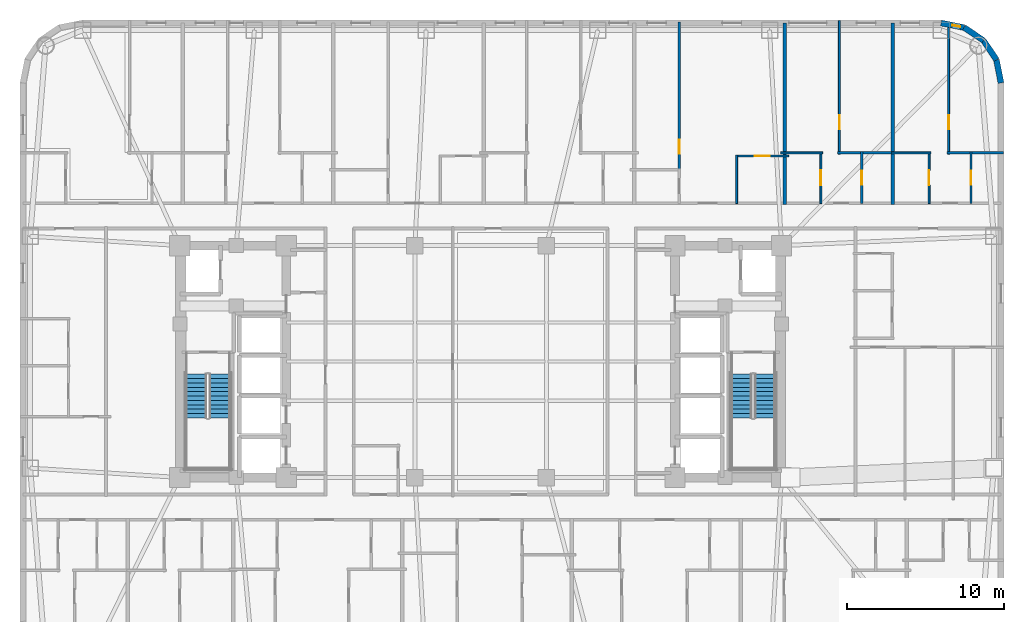
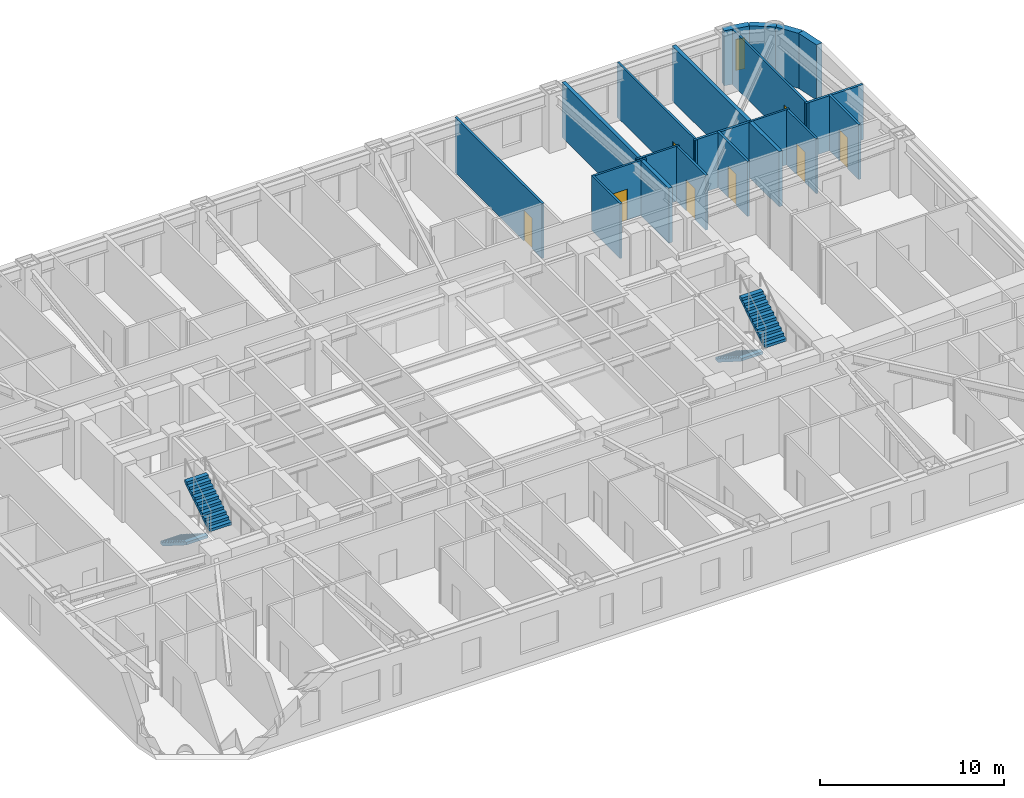
# One storey, part 9 of 12: 19 walls, 8 doors, 4 stair flights, 1 window, 9 openings, 2 elements without a shape of their own.
"""IFC4 building model written with IfcOpenShell, lengths in metres."""

from ifc_helpers import new_model, si_unit, direction, frame, frame_2d, origin, place, context, subcontext, project, spatial, polyline, rectangle, outline, extrude, material, layer, layer_set, type_object, element, fill, aggregate, save


model = new_model("IFC4")

# Units and contexts
model_context = context("Model", 3, precision=1e-05, world=origin(), true_north=direction((0.0, 1.0)))
body_context = subcontext(model_context, "Body", "Model", "MODEL_VIEW")
ifc_project = project(units=[si_unit("LENGTHUNIT", "METRE"), si_unit("AREAUNIT", "SQUARE_METRE"), si_unit("VOLUMEUNIT", "CUBIC_METRE"), si_unit("PLANEANGLEUNIT", "RADIAN"), si_unit("MASSUNIT", "GRAM", prefix="KILO")], contexts=[model_context])

# Site, building, storey
site_placement = place(None, origin())
site = spatial("IfcSite", under=ifc_project, at=site_placement, CompositionType="ELEMENT")
building_placement = place(site_placement, origin())
building = spatial("IfcBuilding", under=site, at=building_placement, Name="Voryun Gate Residences", CompositionType="ELEMENT")
storey_placement = place(building_placement, frame((0.0, 0.0, 101.39990234375)))
storey = spatial("IfcBuildingStorey", under=building, at=storey_placement, Name="L24", CompositionType="ELEMENT", Elevation=101.39990234375)

# Wall, opening, window
ifc_material_1 = material(Name="Granite masonry", Category="masonry")
ifc_layer_1 = layer(ifc_material_1, 0.3798828125, Name="W_EXT_GRANITE_380")
ifc_layer_set_1 = layer_set([ifc_layer_1], Name="Granite masonry")
wall_type_1 = type_object("IfcWallType", Name="W_EXT_GRANITE_380", PredefinedType="ELEMENTEDWALL", material=ifc_layer_set_1)
wall_1_placement = place(storey_placement, frame((29.38134765625, 21.610107421875, 0.0), z_axis=(0.0, 0.0, 1.0), x_axis=(0.980755066645, -0.195242155415, 0.0)))
wall_1 = element("IfcWall", 1, at=wall_1_placement, inside=storey, type_object=wall_type_1, Name="Exterior wall WEXT-L24-12", PredefinedType="ELEMENTEDWALL", context=body_context, shape_type="SweptSolid", body=[
    extrude(rectangle(XDim=1.50439453125, YDim=0.3798828125, at=frame_2d((0.752197265625, 0.0))), origin(), (0.0, 0.0, 1.0), 3.650146484375),
])
opening_1_placement = place(wall_1_placement, frame((0.732177734375, 0.0, 0.75)))
opening_1 = element("IfcOpeningElement", 2, at=opening_1_placement, cuts=wall_1, Name="Opening WN10", PredefinedType="OPENING", context=body_context, shape_type="SweptSolid", body=[
    extrude(rectangle(XDim=0.52001953125, YDim=2.050048828125, at=frame_2d((0.260009765625, 1.02490234375))), frame((0.0, 0.199951171875, 0.0), z_axis=(0.0, -1.0, 0.0), x_axis=(1.0, 0.0, 0.0)), (0.0, 0.0, 1.0), 0.39990234375),
])
ifc_material_2 = material(Name="Laminated low-E glass", Category="glass")
window_type = type_object("IfcWindowType", Name="WN_PAGODA_LANCET_520", PartitioningType="SINGLE_PANEL", PredefinedType="WINDOW", material=ifc_material_2)
window_placement = place(opening_1_placement, origin())
window = element("IfcWindow", 3, at=window_placement, inside=storey, type_object=window_type, Name="Window WN-L24-DWFIX-15", OverallHeight=2.050048828125, OverallWidth=0.52001953125, PartitioningType="SINGLE_PANEL", PredefinedType="WINDOW", context=body_context, shape_type="SweptSolid", body=[
    extrude(rectangle(XDim=0.52001953125, YDim=2.050048828125, at=frame_2d((0.260009765625, 1.02490234375))), frame((0.0, 0.030029296875, 0.0), z_axis=(0.0, -1.0, 0.0), x_axis=(1.0, 0.0, 0.0)), (0.0, 0.0, 1.0), 0.06005859375),
])
fill(opening_1, window)

# Walls
wall_2_placement = place(storey_placement, frame((30.856689453125, 21.31640625, 0.0), z_axis=(0.0, 0.0, 1.0), x_axis=(0.831468045563, -0.555572577804, 0.0)))
element("IfcWall", 4, at=wall_2_placement, inside=storey, type_object=wall_type_1, Name="Exterior wall WEXT-L24-13", PredefinedType="ELEMENTEDWALL", context=body_context, shape_type="SweptSolid", body=[
    extrude(rectangle(XDim=1.48486328125, YDim=0.3798828125, at=frame_2d((0.742431640625, 0.0))), origin(), (0.0, 0.0, 1.0), 3.650146484375),
])
wall_3_placement = place(storey_placement, frame((32.09130859375, 20.491455078125, 0.0), z_axis=(0.0, 0.0, 1.0), x_axis=(0.555610286119, -0.831442848281, 0.0)))
element("IfcWall", 5, at=wall_3_placement, inside=storey, type_object=wall_type_1, Name="Exterior wall WEXT-L24-14", PredefinedType="ELEMENTEDWALL", context=body_context, shape_type="SweptSolid", body=[
    extrude(rectangle(XDim=1.485107421875, YDim=0.3798828125, at=frame_2d((0.74267578125, 0.0))), origin(), (0.0, 0.0, 1.0), 3.650146484375),
])
wall_4_placement = place(storey_placement, frame((32.91650390625, 19.256591796875, 0.0), z_axis=(0.0, 0.0, 1.0), x_axis=(0.195086038585, -0.980786132421, 0.0)))
element("IfcWall", 6, at=wall_4_placement, inside=storey, type_object=wall_type_1, Name="Exterior wall WEXT-L24-15", PredefinedType="ELEMENTEDWALL", context=body_context, shape_type="SweptSolid", body=[
    extrude(rectangle(XDim=1.504150390625, YDim=0.3798828125, at=frame_2d((0.751953125, 0.0))), origin(), (0.0, 0.0, 1.0), 3.650146484375),
])
ifc_material_3 = material(Name="Concrete C40/50", Category="concrete")
ifc_layer_2 = layer(ifc_material_3, 0.219970703125, Name="W_PARTY_ACOUSTIC_220")
ifc_layer_set_2 = layer_set([ifc_layer_2], Name="Concrete C40/50")
wall_type_2 = type_object("IfcWallType", Name="W_PARTY_ACOUSTIC_220", PredefinedType="PARTITIONING", material=ifc_layer_set_2)
for number, where, z_axis, x_axis, name in (
    (7, (19.39990234375, 10.02001953125, 0.0), (0.0, 0.0, 1.0), (0.0, 1.0, 0.0), "Partition wall WP-L24-NPTY-5"),
    (8, (26.30908203125, 10.02001953125, 0.0), (0.0, 0.0, 1.0), (0.0, 1.0, 0.0), "Partition wall WP-L24-NPTY-6"),
):
    element("IfcWall", number, at=place(storey_placement, frame(where, z_axis=z_axis, x_axis=x_axis)), inside=storey, type_object=wall_type_2, Name=name, PredefinedType="PARTITIONING", context=body_context, shape_type="SweptSolid", body=[
        extrude(rectangle(XDim=11.590087890625, YDim=0.219970703125, at=frame_2d((5.794921875, 0.0))), origin(), (0.0, 0.0, 1.0), 3.650146484375),
    ])

# Wall, opening, door
ifc_material_4 = material(Name="Gypsum acoustic partition")
ifc_layer_3 = layer(ifc_material_4, 0.125, Name="W_UNIT_PART_125")
ifc_layer_set_3 = layer_set([ifc_layer_3], Name="Gypsum acoustic partition")
wall_type_3 = type_object("IfcWallType", Name="W_UNIT_PART_125", PredefinedType="PARTITIONING", material=ifc_layer_set_3)
wall_5_placement = place(storey_placement, frame((16.277099609375, 13.1201171875, 0.0), z_axis=(0.0, 0.0, 1.0), x_axis=(1.0, 0.0, 0.0)))
wall_5 = element("IfcWall", 9, at=wall_5_placement, inside=storey, type_object=wall_type_3, Name="Partition wall WP-L24-N5-KHY", PredefinedType="PARTITIONING", context=body_context, shape_type="SweptSolid", body=[
    extrude(rectangle(XDim=3.3828125, YDim=0.125, at=frame_2d((1.69140625, 0.0))), origin(), (0.0, 0.0, 1.0), 3.650146484375),
])
opening_2_placement = place(wall_5_placement, frame((1.216552734375, 0.0, 0.0)))
opening_2 = element("IfcOpeningElement", 10, at=opening_2_placement, cuts=wall_5, Name="Opening D-INT-1", PredefinedType="OPENING", context=body_context, shape_type="SweptSolid", body=[
    extrude(rectangle(XDim=0.949951171875, YDim=2.050048828125, at=frame_2d((0.47509765625, 1.02490234375))), frame((0.0, 0.072509765625, 0.0), z_axis=(0.0, -1.0, 0.0), x_axis=(1.0, 0.0, 0.0)), (0.0, 0.0, 1.0), 0.14501953125),
])
ifc_material_5 = material(Name="Architectural oak veneer")
door_type_1 = type_object("IfcDoorType", Name="DR_INT_ROOM_950", OperationType="NOTDEFINED", PredefinedType="DOOR", material=ifc_material_5)
door_1_placement = place(opening_2_placement, origin())
door_1 = element("IfcDoor", 11, at=door_1_placement, inside=storey, type_object=door_type_1, Name="Door DR-L24-N5-DK", OperationType="SINGLE_SWING_LEFT", OverallHeight=2.050048828125, OverallWidth=0.949951171875, PredefinedType="DOOR", context=body_context, shape_type="SweptSolid", body=[
    extrude(rectangle(XDim=0.949951171875, YDim=2.050048828125, at=frame_2d((0.47509765625, 1.02490234375))), frame((0.0, 0.02490234375, 0.0), z_axis=(0.0, -1.0, 0.0), x_axis=(1.0, 0.0, 0.0)), (0.0, 0.0, 1.0), 0.050048828125),
])
fill(opening_2, door_1)

# Wall
wall_6_placement = place(storey_placement, frame((16.3369140625, 10.080078125, 0.0), z_axis=(0.0, 0.0, 1.0), x_axis=(0.0, 1.0, 0.0)))
element("IfcWall", 12, at=wall_6_placement, inside=storey, type_object=wall_type_3, Name="Partition wall WP-L24-N5-KVX", PredefinedType="PARTITIONING", context=body_context, shape_type="SweptSolid", body=[
    extrude(rectangle(XDim=3.099853515625, YDim=0.125, at=frame_2d((1.5498046875, 0.0))), origin(), (0.0, 0.0, 1.0), 3.650146484375),
])

# Wall, opening, door
wall_7_placement = place(storey_placement, frame((22.89892578125, 13.239990234375, 0.0), z_axis=(0.0, 0.0, 1.0), x_axis=(0.0, 1.0, 0.0)))
wall_7 = element("IfcWall", 13, at=wall_7_placement, inside=storey, type_object=wall_type_3, Name="Partition wall WP-L24-N6-OVR", PredefinedType="PARTITIONING", context=body_context, shape_type="SweptSolid", body=[
    extrude(rectangle(XDim=8.52001953125, YDim=0.125, at=frame_2d((4.260009765625, 0.0))), origin(), (0.0, 0.0, 1.0), 3.650146484375),
])
opening_3_placement = place(wall_7_placement, frame((1.5947265625, 0.0, 0.0)))
opening_3 = element("IfcOpeningElement", 14, at=opening_3_placement, cuts=wall_7, Name="Opening D-INT-2", PredefinedType="OPENING", context=body_context, shape_type="SweptSolid", body=[
    extrude(rectangle(XDim=0.89990234375, YDim=2.050048828125, at=frame_2d((0.449951171875, 1.02490234375))), frame((0.0, 0.072509765625, 0.0), z_axis=(0.0, -1.0, 0.0), x_axis=(1.0, 0.0, 0.0)), (0.0, 0.0, 1.0), 0.14501953125),
])
ifc_material_6 = material(Name="Architectural oak veneer")
door_type_2 = type_object("IfcDoorType", Name="DR_INT_BATH_900", OperationType="NOTDEFINED", PredefinedType="DOOR", material=ifc_material_6)
door_2_placement = place(opening_3_placement, origin())
door_2 = element("IfcDoor", 15, at=door_2_placement, inside=storey, type_object=door_type_2, Name="Door DR-L24-N6-DMB", OperationType="SINGLE_SWING_RIGHT", OverallHeight=2.050048828125, OverallWidth=0.89990234375, PredefinedType="DOOR", context=body_context, shape_type="SweptSolid", body=[
    extrude(rectangle(XDim=0.89990234375, YDim=2.050048828125, at=frame_2d((0.449951171875, 1.02490234375))), frame((0.0, 0.02490234375, 0.0), z_axis=(0.0, -1.0, 0.0), x_axis=(1.0, 0.0, 0.0)), (0.0, 0.0, 1.0), 0.050048828125),
])
fill(opening_3, door_2)

wall_8_placement = place(storey_placement, frame((21.7099609375, 10.080078125, 0.0), z_axis=(0.0, 0.0, 1.0), x_axis=(0.0, 1.0, 0.0)))
wall_8 = element("IfcWall", 16, at=wall_8_placement, inside=storey, type_object=wall_type_3, Name="Partition wall WP-L24-N6-IVK", PredefinedType="PARTITIONING", context=body_context, shape_type="SweptSolid", body=[
    extrude(rectangle(XDim=3.31982421875, YDim=0.125, at=frame_2d((1.659912109375, 0.0))), origin(), (0.0, 0.0, 1.0), 3.650146484375),
])
opening_4_placement = place(wall_8_placement, frame((1.18505859375, 0.0, 0.0)))
opening_4 = element("IfcOpeningElement", 17, at=opening_4_placement, cuts=wall_8, Name="Opening D-INT-1", PredefinedType="OPENING", context=body_context, shape_type="SweptSolid", body=[
    extrude(rectangle(XDim=0.949951171875, YDim=2.050048828125, at=frame_2d((0.47509765625, 1.02490234375))), frame((0.0, 0.072509765625, 0.0), z_axis=(0.0, -1.0, 0.0), x_axis=(1.0, 0.0, 0.0)), (0.0, 0.0, 1.0), 0.14501953125),
])
door_3_placement = place(opening_4_placement, origin())
door_3 = element("IfcDoor", 18, at=door_3_placement, inside=storey, type_object=door_type_1, Name="Door DR-L24-N6-DK", OperationType="SINGLE_SWING_LEFT", OverallHeight=2.050048828125, OverallWidth=0.949951171875, PredefinedType="DOOR", context=body_context, shape_type="SweptSolid", body=[
    extrude(rectangle(XDim=0.949951171875, YDim=2.050048828125, at=frame_2d((0.47509765625, 1.02490234375))), frame((0.0, 0.02490234375, 0.0), z_axis=(0.0, -1.0, 0.0), x_axis=(1.0, 0.0, 0.0)), (0.0, 0.0, 1.0), 0.050048828125),
])
fill(opening_4, door_3)

# Wall
wall_9_placement = place(storey_placement, frame((19.139892578125, 13.320068359375, 0.0), z_axis=(0.0, 0.0, 1.0), x_axis=(1.0, 0.0, 0.0)))
element("IfcWall", 19, at=wall_9_placement, inside=storey, type_object=wall_type_3, Name="Partition wall WP-L24-N6-HZK", PredefinedType="PARTITIONING", context=body_context, shape_type="SweptSolid", body=[
    extrude(rectangle(XDim=2.690185546875, YDim=0.125, at=frame_2d((1.34521484375, 0.0))), origin(), (0.0, 0.0, 1.0), 3.650146484375),
])

# Wall, opening, door
wall_10_placement = place(storey_placement, frame((29.867919921875, 13.239990234375, 0.0), z_axis=(0.0, 0.0, 1.0), x_axis=(0.0, 1.0, 0.0)))
wall_10 = element("IfcWall", 20, at=wall_10_placement, inside=storey, type_object=wall_type_3, Name="Partition wall WP-L24-N7-OVR", PredefinedType="PARTITIONING", context=body_context, shape_type="SweptSolid", body=[
    extrude(rectangle(XDim=8.426025390625, YDim=0.125, at=frame_2d((4.212890625, 0.0))), origin(), (0.0, 0.0, 1.0), 3.650146484375),
])
opening_5_placement = place(wall_10_placement, frame((1.572265625, 0.0, 0.0)))
opening_5 = element("IfcOpeningElement", 21, at=opening_5_placement, cuts=wall_10, Name="Opening D-INT-2", PredefinedType="OPENING", context=body_context, shape_type="SweptSolid", body=[
    extrude(rectangle(XDim=0.89990234375, YDim=2.050048828125, at=frame_2d((0.449951171875, 1.02490234375))), frame((0.0, 0.072509765625, 0.0), z_axis=(0.0, -1.0, 0.0), x_axis=(1.0, 0.0, 0.0)), (0.0, 0.0, 1.0), 0.14501953125),
])
door_4_placement = place(opening_5_placement, origin())
door_4 = element("IfcDoor", 22, at=door_4_placement, inside=storey, type_object=door_type_2, Name="Door DR-L24-N7-DMB", OperationType="SINGLE_SWING_RIGHT", OverallHeight=2.050048828125, OverallWidth=0.89990234375, PredefinedType="DOOR", context=body_context, shape_type="SweptSolid", body=[
    extrude(rectangle(XDim=0.89990234375, YDim=2.050048828125, at=frame_2d((0.449951171875, 1.02490234375))), frame((0.0, 0.02490234375, 0.0), z_axis=(0.0, -1.0, 0.0), x_axis=(1.0, 0.0, 0.0)), (0.0, 0.0, 1.0), 0.050048828125),
])
fill(opening_5, door_4)

wall_11_placement = place(storey_placement, frame((28.618896484375, 10.080078125, 0.0), z_axis=(0.0, 0.0, 1.0), x_axis=(0.0, 1.0, 0.0)))
wall_11 = element("IfcWall", 23, at=wall_11_placement, inside=storey, type_object=wall_type_3, Name="Partition wall WP-L24-N7-IVK", PredefinedType="PARTITIONING", context=body_context, shape_type="SweptSolid", body=[
    extrude(rectangle(XDim=3.31982421875, YDim=0.125, at=frame_2d((1.659912109375, 0.0))), origin(), (0.0, 0.0, 1.0), 3.650146484375),
])
opening_6_placement = place(wall_11_placement, frame((1.18505859375, 0.0, 0.0)))
opening_6 = element("IfcOpeningElement", 24, at=opening_6_placement, cuts=wall_11, Name="Opening D-INT-1", PredefinedType="OPENING", context=body_context, shape_type="SweptSolid", body=[
    extrude(rectangle(XDim=0.949951171875, YDim=2.050048828125, at=frame_2d((0.47509765625, 1.02490234375))), frame((0.0, 0.072509765625, 0.0), z_axis=(0.0, -1.0, 0.0), x_axis=(1.0, 0.0, 0.0)), (0.0, 0.0, 1.0), 0.14501953125),
])
door_5_placement = place(opening_6_placement, origin())
door_5 = element("IfcDoor", 25, at=door_5_placement, inside=storey, type_object=door_type_1, Name="Door DR-L24-N7-DK", OperationType="SINGLE_SWING_LEFT", OverallHeight=2.050048828125, OverallWidth=0.949951171875, PredefinedType="DOOR", context=body_context, shape_type="SweptSolid", body=[
    extrude(rectangle(XDim=0.949951171875, YDim=2.050048828125, at=frame_2d((0.47509765625, 1.02490234375))), frame((0.0, 0.02490234375, 0.0), z_axis=(0.0, -1.0, 0.0), x_axis=(1.0, 0.0, 0.0)), (0.0, 0.0, 1.0), 0.050048828125),
])
fill(opening_6, door_5)

# Wall
wall_12_placement = place(storey_placement, frame((26.23388671875, 13.320068359375, 0.0), z_axis=(0.0, 0.0, 1.0), x_axis=(1.0, 0.0, 0.0)))
element("IfcWall", 26, at=wall_12_placement, inside=storey, type_object=wall_type_3, Name="Partition wall WP-L24-N7-HZK", PredefinedType="PARTITIONING", context=body_context, shape_type="SweptSolid", body=[
    extrude(rectangle(XDim=2.505126953125, YDim=0.125, at=frame_2d((1.25244140625, 0.0))), origin(), (0.0, 0.0, 1.0), 3.650146484375),
])

# Wall, opening, door
ifc_material_7 = material(Name="Gypsum moisture-resistant partition")
ifc_layer_4 = layer(ifc_material_7, 0.14990234375, Name="W_WET_PLUMB_150")
ifc_layer_set_4 = layer_set([ifc_layer_4], Name="Gypsum moisture-resistant partition")
wall_type_4 = type_object("IfcWallType", Name="W_WET_PLUMB_150", PredefinedType="PLUMBINGWALL", material=ifc_layer_set_4)
wall_13_placement = place(storey_placement, frame((12.666015625, 12.199951171875, 0.0), z_axis=(0.0, 0.0, 1.0), x_axis=(0.0, 1.0, 0.0)))
wall_13 = element("IfcWall", 27, at=wall_13_placement, inside=storey, type_object=wall_type_4, Name="Partition wall WP-L24-N5-LVX2", PredefinedType="PLUMBINGWALL", context=body_context, shape_type="SweptSolid", body=[
    extrude(rectangle(XDim=9.457763671875, YDim=0.14990234375, at=frame_2d((4.72900390625, 0.0))), origin(), (0.0, 0.0, 1.0), 3.650146484375),
])
opening_7_placement = place(wall_13_placement, frame((1.063232421875, 0.0, 0.0)))
opening_7 = element("IfcOpeningElement", 28, at=opening_7_placement, cuts=wall_13, Name="Opening D-INT-2", PredefinedType="OPENING", context=body_context, shape_type="SweptSolid", body=[
    extrude(rectangle(XDim=0.89990234375, YDim=2.050048828125, at=frame_2d((0.449951171875, 1.02490234375))), frame((0.0, 0.0849609375, 0.0), z_axis=(0.0, -1.0, 0.0), x_axis=(1.0, 0.0, 0.0)), (0.0, 0.0, 1.0), 0.169921875),
])
door_6_placement = place(opening_7_placement, origin())
door_6 = element("IfcDoor", 29, at=door_6_placement, inside=storey, type_object=door_type_2, Name="Door DR-L24-N5-DMB", OperationType="SINGLE_SWING_RIGHT", OverallHeight=2.050048828125, OverallWidth=0.89990234375, PredefinedType="DOOR", context=body_context, shape_type="SweptSolid", body=[
    extrude(rectangle(XDim=0.89990234375, YDim=2.050048828125, at=frame_2d((0.449951171875, 1.02490234375))), frame((0.0, 0.02490234375, 0.0), z_axis=(0.0, -1.0, 0.0), x_axis=(1.0, 0.0, 0.0)), (0.0, 0.0, 1.0), 0.050048828125),
])
fill(opening_7, door_6)

# Wall
wall_14_placement = place(storey_placement, frame((22.779052734375, 13.320068359375, 0.0), z_axis=(0.0, 0.0, 1.0), x_axis=(1.0, 0.0, 0.0)))
element("IfcWall", 30, at=wall_14_placement, inside=storey, type_object=wall_type_4, Name="Partition wall WP-L24-N6-HZB", PredefinedType="PLUMBINGWALL", context=body_context, shape_type="SweptSolid", body=[
    extrude(rectangle(XDim=3.60498046875, YDim=0.14990234375, at=frame_2d((1.802490234375, 0.0))), origin(), (0.0, 0.0, 1.0), 3.650146484375),
])

# Wall, opening, door
wall_15_placement = place(storey_placement, frame((24.3291015625, 10.080078125, 0.0), z_axis=(0.0, 0.0, 1.0), x_axis=(0.0, 1.0, 0.0)))
wall_15 = element("IfcWall", 31, at=wall_15_placement, inside=storey, type_object=wall_type_4, Name="Partition wall WP-L24-N6-IVB", PredefinedType="PLUMBINGWALL", context=body_context, shape_type="SweptSolid", body=[
    extrude(rectangle(XDim=3.31982421875, YDim=0.14990234375, at=frame_2d((1.659912109375, 0.0))), origin(), (0.0, 0.0, 1.0), 3.650146484375),
])
opening_8_placement = place(wall_15_placement, frame((1.2099609375, 0.0, 0.0)))
opening_8 = element("IfcOpeningElement", 32, at=opening_8_placement, cuts=wall_15, Name="Opening D-INT-2", PredefinedType="OPENING", context=body_context, shape_type="SweptSolid", body=[
    extrude(rectangle(XDim=0.89990234375, YDim=2.050048828125, at=frame_2d((0.449951171875, 1.02490234375))), frame((0.0, 0.0849609375, 0.0), z_axis=(0.0, -1.0, 0.0), x_axis=(1.0, 0.0, 0.0)), (0.0, 0.0, 1.0), 0.169921875),
])
door_7_placement = place(opening_8_placement, origin())
door_7 = element("IfcDoor", 33, at=door_7_placement, inside=storey, type_object=door_type_2, Name="Door DR-L24-N6-DB", OperationType="SINGLE_SWING_RIGHT", OverallHeight=2.050048828125, OverallWidth=0.89990234375, PredefinedType="DOOR", context=body_context, shape_type="SweptSolid", body=[
    extrude(rectangle(XDim=0.89990234375, YDim=2.050048828125, at=frame_2d((0.449951171875, 1.02490234375))), frame((0.0, 0.02490234375, 0.0), z_axis=(0.0, -1.0, 0.0), x_axis=(1.0, 0.0, 0.0)), (0.0, 0.0, 1.0), 0.050048828125),
])
fill(opening_8, door_7)

# Wall
wall_16_placement = place(storey_placement, frame((29.748046875, 13.320068359375, 0.0), z_axis=(0.0, 0.0, 1.0), x_axis=(1.0, 0.0, 0.0)))
element("IfcWall", 34, at=wall_16_placement, inside=storey, type_object=wall_type_4, Name="Partition wall WP-L24-N7-HZB", PredefinedType="PLUMBINGWALL", context=body_context, shape_type="SweptSolid", body=[
    extrude(rectangle(XDim=3.612060546875, YDim=0.14990234375, at=frame_2d((1.80615234375, 0.0))), origin(), (0.0, 0.0, 1.0), 3.650146484375),
])

# Wall, opening, door
wall_17_placement = place(storey_placement, frame((31.298095703125, 10.080078125, 0.0), z_axis=(0.0, 0.0, 1.0), x_axis=(0.0, 1.0, 0.0)))
wall_17 = element("IfcWall", 35, at=wall_17_placement, inside=storey, type_object=wall_type_4, Name="Partition wall WP-L24-N7-IVB", PredefinedType="PLUMBINGWALL", context=body_context, shape_type="SweptSolid", body=[
    extrude(rectangle(XDim=3.31982421875, YDim=0.14990234375, at=frame_2d((1.659912109375, 0.0))), origin(), (0.0, 0.0, 1.0), 3.650146484375),
])
opening_9_placement = place(wall_17_placement, frame((1.2099609375, 0.0, 0.0)))
opening_9 = element("IfcOpeningElement", 36, at=opening_9_placement, cuts=wall_17, Name="Opening D-INT-2", PredefinedType="OPENING", context=body_context, shape_type="SweptSolid", body=[
    extrude(rectangle(XDim=0.89990234375, YDim=2.050048828125, at=frame_2d((0.449951171875, 1.02490234375))), frame((0.0, 0.0849609375, 0.0), z_axis=(0.0, -1.0, 0.0), x_axis=(1.0, 0.0, 0.0)), (0.0, 0.0, 1.0), 0.169921875),
])
door_8_placement = place(opening_9_placement, origin())
door_8 = element("IfcDoor", 37, at=door_8_placement, inside=storey, type_object=door_type_2, Name="Door DR-L24-N7-DB", OperationType="SINGLE_SWING_RIGHT", OverallHeight=2.050048828125, OverallWidth=0.89990234375, PredefinedType="DOOR", context=body_context, shape_type="SweptSolid", body=[
    extrude(rectangle(XDim=0.89990234375, YDim=2.050048828125, at=frame_2d((0.449951171875, 1.02490234375))), frame((0.0, 0.02490234375, 0.0), z_axis=(0.0, -1.0, 0.0), x_axis=(1.0, 0.0, 0.0)), (0.0, 0.0, 1.0), 0.050048828125),
])
fill(opening_9, door_8)

# Stair, stair flights
ifc_material_8 = material(Name="Concrete C40/50", Category="concrete")
stair_type = type_object("IfcStairType", Name="STR_CORE_DOGLEG_1350", PredefinedType="HALF_TURN_STAIR", material=ifc_material_8)
stair_1_placement = place(storey_placement, origin())
stair_1 = element("IfcStair", 38, at=stair_1_placement, inside=storey, type_object=stair_type, Name="L24 Special Escape Stair ST-W1", PredefinedType="HALF_TURN_STAIR")
ifc_material_9 = material(Name="Concrete C40/50", Category="concrete")
stair_flight_type = type_object("IfcStairFlightType", Name="FLT_CORE_1350", PredefinedType="STRAIGHT", material=ifc_material_9)
stair_flight_1_placement = place(storey_placement, frame((-18.14990234375, -0.800048828125, 0.0), z_axis=(0.0, 0.0, 1.0), x_axis=(0.0, -1.0, 0.0)))
stair_flight_1 = element("IfcStairFlight", 39, at=stair_flight_1_placement, type_object=stair_flight_type, Name="ST-W1 flight 1", NumberOfRisers=11, NumberOfTreads=10, PredefinedType="STRAIGHT", RiserHeight=0.177272727, TreadLength=0.28, context=body_context, shape_type="SweptSolid", body=[
    extrude(outline(polyline([(0.0, 0.0), (0.0, 0.17724609375), (0.280029296875, 0.17724609375), (0.280029296875, 0.3544921875), (0.56005859375, 0.3544921875), (0.56005859375, 0.53173828125), (0.840087890625, 0.53173828125), (0.840087890625, 0.708984375), (1.1201171875, 0.708984375), (1.1201171875, 0.886474609375), (1.39990234375, 0.886474609375), (1.39990234375, 1.063720703125), (1.679931640625, 1.063720703125), (1.679931640625, 1.240966796875), (1.9599609375, 1.240966796875), (1.9599609375, 1.418212890625), (2.239990234375, 1.418212890625), (2.239990234375, 1.595458984375), (2.52001953125, 1.595458984375), (2.52001953125, 1.772705078125), (2.800048828125, 1.772705078125), (2.800048828125, 1.949951171875), (2.800048828125, 1.59521484375), (0.2802734375, 0.0), (0.0, 0.0)])), frame((0.0, 0.675048828125, 0.0), z_axis=(0.0, -1.0, 0.0), x_axis=(1.0, 0.0, 0.0)), (0.0, 0.0, 1.0), 1.35009765625),
])
stair_flight_2_placement = place(storey_placement, frame((-16.64990234375, -3.60009765625, 1.9501953125), z_axis=(0.0, 0.0, 1.0), x_axis=(0.0, 1.0, 0.0)))
stair_flight_2 = element("IfcStairFlight", 40, at=stair_flight_2_placement, type_object=stair_flight_type, Name="ST-W1 flight 2", NumberOfRisers=11, NumberOfTreads=10, PredefinedType="STRAIGHT", RiserHeight=0.177272727, TreadLength=0.28, context=body_context, shape_type="SweptSolid", body=[
    extrude(outline(polyline([(0.0, 0.0), (0.0, 0.17724609375), (0.280029296875, 0.17724609375), (0.280029296875, 0.3544921875), (0.56005859375, 0.3544921875), (0.56005859375, 0.53173828125), (0.840087890625, 0.53173828125), (0.840087890625, 0.708984375), (1.1201171875, 0.708984375), (1.1201171875, 0.886474609375), (1.39990234375, 0.886474609375), (1.39990234375, 1.063720703125), (1.679931640625, 1.063720703125), (1.679931640625, 1.240966796875), (1.9599609375, 1.240966796875), (1.9599609375, 1.418212890625), (2.239990234375, 1.418212890625), (2.239990234375, 1.595458984375), (2.52001953125, 1.595458984375), (2.52001953125, 1.772705078125), (2.800048828125, 1.772705078125), (2.800048828125, 1.949951171875), (2.800048828125, 1.59521484375), (0.2802734375, 0.0), (0.0, 0.0)])), frame((0.0, 0.675048828125, 0.0), z_axis=(0.0, -1.0, 0.0), x_axis=(1.0, 0.0, 0.0)), (0.0, 0.0, 1.0), 1.35009765625),
])
aggregate(stair_1, [stair_flight_1, stair_flight_2])

stair_2_placement = place(storey_placement, origin())
stair_2 = element("IfcStair", 41, at=stair_2_placement, inside=storey, type_object=stair_type, Name="L24 Special Escape Stair ST-E1", PredefinedType="HALF_TURN_STAIR")
stair_flight_3_placement = place(storey_placement, frame((16.64990234375, -0.800048828125, 0.0), z_axis=(0.0, 0.0, 1.0), x_axis=(0.0, -1.0, 0.0)))
stair_flight_3 = element("IfcStairFlight", 42, at=stair_flight_3_placement, type_object=stair_flight_type, Name="ST-E1 flight 1", NumberOfRisers=11, NumberOfTreads=10, PredefinedType="STRAIGHT", RiserHeight=0.177272727, TreadLength=0.28, context=body_context, shape_type="SweptSolid", body=[
    extrude(outline(polyline([(0.0, 0.0), (0.0, 0.17724609375), (0.280029296875, 0.17724609375), (0.280029296875, 0.3544921875), (0.56005859375, 0.3544921875), (0.56005859375, 0.53173828125), (0.840087890625, 0.53173828125), (0.840087890625, 0.708984375), (1.1201171875, 0.708984375), (1.1201171875, 0.886474609375), (1.39990234375, 0.886474609375), (1.39990234375, 1.063720703125), (1.679931640625, 1.063720703125), (1.679931640625, 1.240966796875), (1.9599609375, 1.240966796875), (1.9599609375, 1.418212890625), (2.239990234375, 1.418212890625), (2.239990234375, 1.595458984375), (2.52001953125, 1.595458984375), (2.52001953125, 1.772705078125), (2.800048828125, 1.772705078125), (2.800048828125, 1.949951171875), (2.800048828125, 1.59521484375), (0.2802734375, 0.0), (0.0, 0.0)])), frame((0.0, 0.675048828125, 0.0), z_axis=(0.0, -1.0, 0.0), x_axis=(1.0, 0.0, 0.0)), (0.0, 0.0, 1.0), 1.35009765625),
])
stair_flight_4_placement = place(storey_placement, frame((18.14990234375, -3.60009765625, 1.9501953125), z_axis=(0.0, 0.0, 1.0), x_axis=(0.0, 1.0, 0.0)))
stair_flight_4 = element("IfcStairFlight", 43, at=stair_flight_4_placement, type_object=stair_flight_type, Name="ST-E1 flight 2", NumberOfRisers=11, NumberOfTreads=10, PredefinedType="STRAIGHT", RiserHeight=0.177272727, TreadLength=0.28, context=body_context, shape_type="SweptSolid", body=[
    extrude(outline(polyline([(0.0, 0.0), (0.0, 0.17724609375), (0.280029296875, 0.17724609375), (0.280029296875, 0.3544921875), (0.56005859375, 0.3544921875), (0.56005859375, 0.53173828125), (0.840087890625, 0.53173828125), (0.840087890625, 0.708984375), (1.1201171875, 0.708984375), (1.1201171875, 0.886474609375), (1.39990234375, 0.886474609375), (1.39990234375, 1.063720703125), (1.679931640625, 1.063720703125), (1.679931640625, 1.240966796875), (1.9599609375, 1.240966796875), (1.9599609375, 1.418212890625), (2.239990234375, 1.418212890625), (2.239990234375, 1.595458984375), (2.52001953125, 1.595458984375), (2.52001953125, 1.772705078125), (2.800048828125, 1.772705078125), (2.800048828125, 1.949951171875), (2.800048828125, 1.59521484375), (0.2802734375, 0.0), (0.0, 0.0)])), frame((0.0, 0.675048828125, 0.0), z_axis=(0.0, -1.0, 0.0), x_axis=(1.0, 0.0, 0.0)), (0.0, 0.0, 1.0), 1.35009765625),
])
aggregate(stair_2, [stair_flight_3, stair_flight_4])

save(model, "model.ifc")
